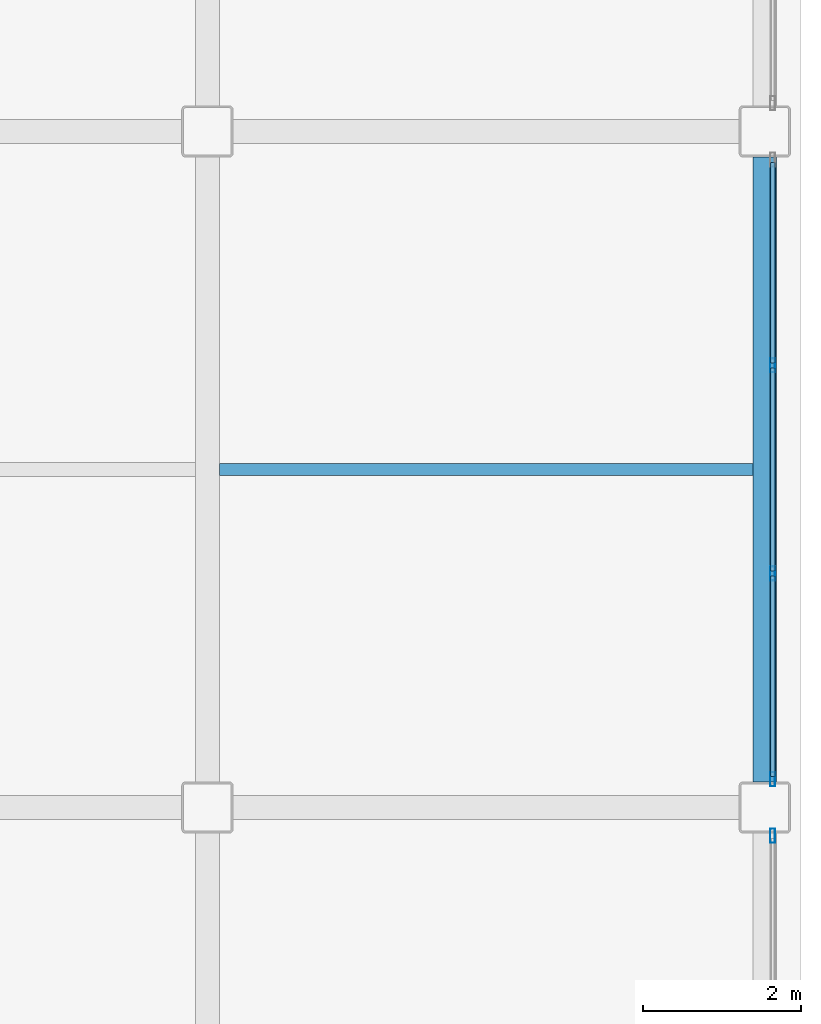
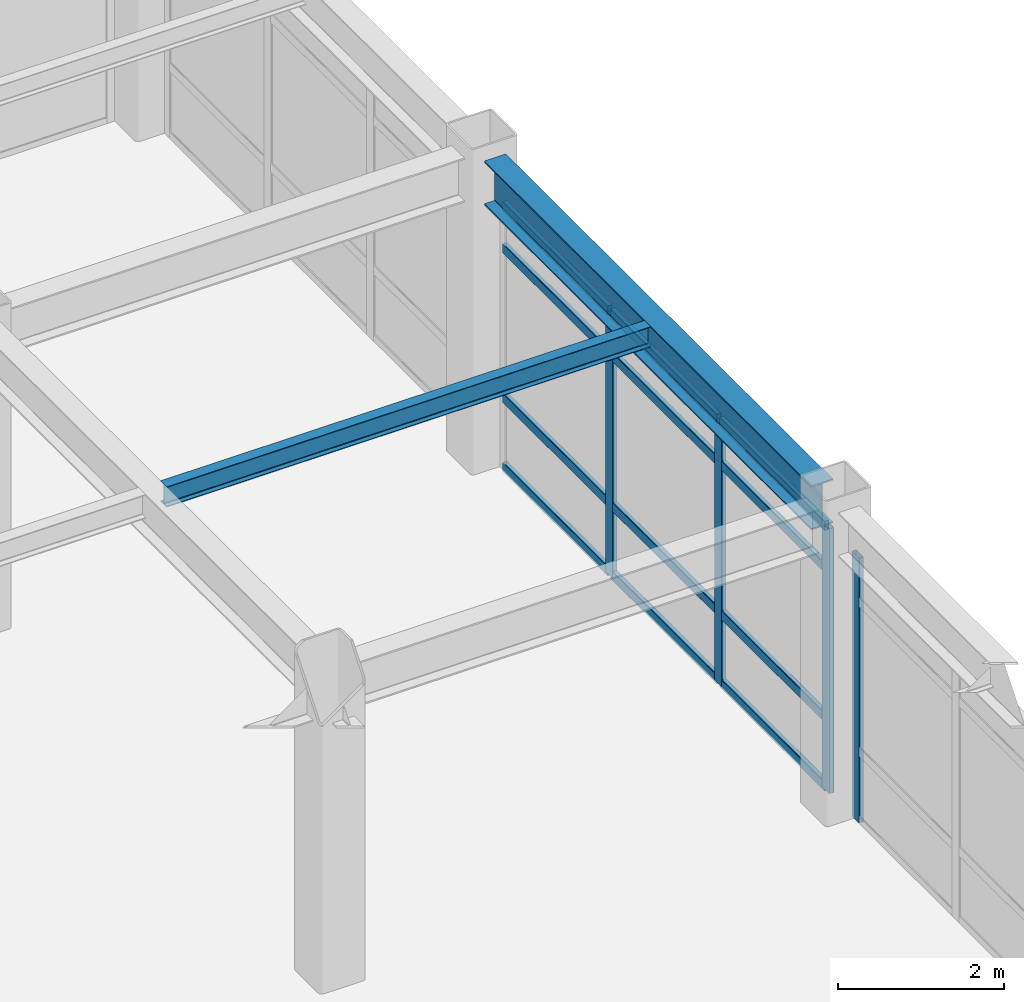
# One storey, part 39 of 61: 16 members, 2 beams, 2 elements without a shape of their own.
"""IFC4 building model written with IfcOpenShell, lengths in metres."""

import ifcopenshell
import ifcopenshell.guid

model = None  # the IFC model being written
_history = None  # IfcOwnerHistory: only IFC2X3 demands one
_inside = {}  # id of a spatial element -> (the spatial element, [elements in it])
_under = {}  # id of a project, library or spatial element -> (it, [spatial elements below it])
_declared = {}  # id of a project -> (the project, [libraries it declares])
_typed = {}  # id of a type object -> (the type object, [elements of that type])
_made_of = {}  # id of a material, layer set ... -> (it, [elements and type objects made of it])


def new_model(schema):
    """Start an empty IFC model of exactly this schema.

    Asked for "IFC4X3", IfcOpenShell would pick the latest addendum, in which some entities
    have other attributes; the version numbers below select the first issue.
    IFC2X3 requires an IfcOwnerHistory on every rooted entity: one is made here for all.
    """
    global model, _history
    if schema == "IFC4X3":
        model = ifcopenshell.file(schema_version=(4, 3, 0, 0))
    else:
        model = ifcopenshell.file(schema=schema)
    _inside.clear()
    _under.clear()
    _declared.clear()
    _typed.clear()
    _made_of.clear()
    _history = None
    if model.schema == "IFC2X3":
        org = make("IfcOrganization", Name="unknown")
        user = make(
            "IfcPersonAndOrganization",
            ThePerson=make("IfcPerson", FamilyName="unknown"),
            TheOrganization=org,
        )
        app = make(
            "IfcApplication",
            ApplicationDeveloper=org,
            Version="unknown",
            ApplicationFullName="unknown",
            ApplicationIdentifier="unknown",
        )
        _history = make(
            "IfcOwnerHistory",
            OwningUser=user,
            OwningApplication=app,
            ChangeAction="ADDED",
            CreationDate=0,
        )
    return model


def make(cls, **values):
    """One entity of the class cls with the attributes given. An attribute that is None is left unset."""
    return model.create_entity(
        cls, **{name: value for name, value in values.items() if value is not None}
    )


def rooted(cls, **values):
    """An entity with a GlobalId (a new one), such as an element, a storey or a relation."""
    return make(cls, GlobalId=ifcopenshell.guid.new(), OwnerHistory=_history, **values)


def si_unit(unit_type, name, prefix=None):
    """IfcSIUnit, for example si_unit("LENGTHUNIT", "METRE", prefix="MILLI")."""
    return make("IfcSIUnit", UnitType=unit_type, Prefix=prefix, Name=name)


def assignment(units):
    """IfcUnitAssignment: the units of a project."""
    return None if units is None else make("IfcUnitAssignment", Units=units)


def point(xyz):
    """IfcCartesianPoint."""
    return None if xyz is None else make("IfcCartesianPoint", Coordinates=xyz)


def direction(xyz):
    """IfcDirection."""
    return None if xyz is None else make("IfcDirection", DirectionRatios=xyz)


def frame(location, z_axis=None, x_axis=None):
    """IfcAxis2Placement3D, a coordinate frame: its origin and axes. An axis left out is left unset."""
    return make(
        "IfcAxis2Placement3D",
        Location=point(location),
        Axis=direction(z_axis),
        RefDirection=direction(x_axis),
    )


def frame_2d(location, x_axis=None):
    """IfcAxis2Placement2D, a coordinate frame in the plane: its origin and x axis."""
    return make(
        "IfcAxis2Placement2D", Location=point(location), RefDirection=direction(x_axis)
    )


def origin():
    """The frame at (0, 0, 0) with its axes left unset."""
    return frame((0.0, 0.0, 0.0))


def origin_2d():
    """The frame at (0, 0) in the plane with its x axis left unset."""
    return frame_2d((0.0, 0.0))


def place(relative_to, where):
    """IfcLocalPlacement: puts the frame where relative to a parent placement (None: the world)."""
    return make(
        "IfcLocalPlacement", PlacementRelTo=relative_to, RelativePlacement=where
    )


def context(
    kind, dimensions, precision=None, world=None, true_north=None, identifier=None
):
    """IfcGeometricRepresentationContext, for example the 3D "Model" context."""
    return make(
        "IfcGeometricRepresentationContext",
        ContextIdentifier=identifier,
        ContextType=kind,
        CoordinateSpaceDimension=dimensions,
        Precision=precision,
        WorldCoordinateSystem=world,
        TrueNorth=true_north,
    )


def subcontext(parent, identifier, kind, view, scale=None):
    """IfcGeometricRepresentationSubContext, for example "Body" below "Model"."""
    return make(
        "IfcGeometricRepresentationSubContext",
        ContextIdentifier=identifier,
        ContextType=kind,
        ParentContext=parent,
        TargetScale=scale,
        TargetView=view,
    )


def project(units=None, contexts=None):
    """IfcProject with its units and contexts."""
    return rooted(
        "IfcProject",
        Name="project",
        RepresentationContexts=contexts,
        UnitsInContext=assignment(units),
    )


def spatial(cls, under=None, at=None, **own):
    """A site, building, storey or space (cls), placed at a placement, below another one or the project."""
    s = rooted(cls, ObjectPlacement=at, **own)
    if under is not None:
        _under.setdefault(under.id(), (under, []))[1].append(s)
    return s


def profile(cls, at=None, kind="AREA", **sizes):
    """A parametric profile (cls). Its sizes go by their IFC names, for example OverallWidth=200.0."""
    return make(cls, ProfileType=kind, Position=at, **sizes)


def hollow_rectangle(**sizes):
    """IfcRectangleHollowProfileDef."""
    return profile("IfcRectangleHollowProfileDef", **sizes)


def i_section(**sizes):
    """IfcIShapeProfileDef."""
    return profile("IfcIShapeProfileDef", **sizes)


def extrude(swept, where, along, depth):
    """IfcExtrudedAreaSolid: the profile swept, set in the frame where, extruded along a direction by depth."""
    return make(
        "IfcExtrudedAreaSolid",
        SweptArea=swept,
        Position=where,
        ExtrudedDirection=direction(along),
        Depth=depth,
    )


def shape(context_of_items, identifier, shape_type, items):
    """IfcShapeRepresentation: the items that make up one representation, for example the "Body"."""
    return make(
        "IfcShapeRepresentation",
        ContextOfItems=context_of_items,
        RepresentationIdentifier=identifier,
        RepresentationType=shape_type,
        Items=items,
    )


def material(Name=None, Category=None):
    """IfcMaterial."""
    return make("IfcMaterial", Name=Name, Category=Category)


def layer(
    of_material, thickness, ventilated=None, Name=None, Category=None, Priority=None
):
    """IfcMaterialLayer: one layer of a wall or slab, of a material (None: an air gap)."""
    return make(
        "IfcMaterialLayer",
        Material=of_material,
        LayerThickness=thickness,
        IsVentilated=ventilated,
        Name=Name,
        Category=Category,
        Priority=Priority,
    )


def layer_set(layers, Name=None):
    """IfcMaterialLayerSet."""
    return make("IfcMaterialLayerSet", MaterialLayers=layers, LayerSetName=Name)


def material_profile(
    of_material, cross_section, Name=None, Category=None, Priority=None
):
    """IfcMaterialProfile: a cross section and its material."""
    return make(
        "IfcMaterialProfile",
        Name=Name,
        Material=of_material,
        Profile=cross_section,
        Priority=Priority,
        Category=Category,
    )


def profile_set(profiles, Name=None, composite=None):
    """IfcMaterialProfileSet."""
    return make(
        "IfcMaterialProfileSet",
        Name=Name,
        MaterialProfiles=profiles,
        CompositeProfile=composite,
    )


def made_of(thing, what):
    """Note that an element or type object is made of a material, layer set ...; save() writes the relation."""
    if what is not None:
        _made_of.setdefault(what.id(), (what, []))[1].append(thing)
    return thing


def type_object(cls, material=None, **own):
    """A type object (cls), such as IfcWallType, which elements share."""
    return made_of(rooted(cls, **own), material)


def element(
    cls,
    number,
    at=None,
    inside=None,
    cuts=None,
    type_object=None,
    material=None,
    context=None,
    identifier="Body",
    shape_type=None,
    held_by="IfcProductDefinitionShape",
    body=None,
    shapes=None,
    **own,
):
    """One element of the class cls, such as IfcWall. Its Tag is "e" and its number.

    at: its placement. inside: the storey or other place that contains it. cuts: it is an
    opening in that element (IfcRelVoidsElement). A single representation is given by context,
    identifier, shape_type and body (its items); several are given by shapes. held_by: the class
    of the entity that holds the representations. save() writes the other relations.
    """
    e = rooted(cls, Tag="e%d" % number, ObjectPlacement=at, **own)
    if body is not None:
        shapes = [shape(context, identifier, shape_type, body)]
    if shapes is not None:
        e.Representation = make(held_by, Representations=shapes)
    if inside is not None:
        _inside.setdefault(inside.id(), (inside, []))[1].append(e)
    if cuts is not None:
        rooted(
            "IfcRelVoidsElement", RelatingBuildingElement=cuts, RelatedOpeningElement=e
        )
    if type_object is not None:
        _typed.setdefault(type_object.id(), (type_object, []))[1].append(e)
    return made_of(e, material)


def aggregate(whole, parts):
    """IfcRelAggregates: a whole, such as a stair, and the parts it consists of."""
    return rooted("IfcRelAggregates", RelatingObject=whole, RelatedObjects=parts)


def save(model, path):
    """Write the relations noted so far, then the file.

    IfcRelAggregates (storeys below a building ...), IfcRelContainedInSpatialStructure (elements
    in a storey), IfcRelDefinesByType, IfcRelAssociatesMaterial and IfcRelDeclares: one each for
    every whole, place, type object, material and project.
    """
    for whole, parts in _under.values():
        aggregate(whole, parts)
    for where, things in _inside.values():
        rooted(
            "IfcRelContainedInSpatialStructure",
            RelatedElements=things,
            RelatingStructure=where,
        )
    for kind, things in _typed.values():
        rooted("IfcRelDefinesByType", RelatedObjects=things, RelatingType=kind)
    for what, things in _made_of.values():
        rooted("IfcRelAssociatesMaterial", RelatedObjects=things, RelatingMaterial=what)
    for by, libraries in _declared.values():
        rooted("IfcRelDeclares", RelatingContext=by, RelatedDefinitions=libraries)
    model.write(path)


model = new_model("IFC4")

# Units and contexts
model_context = context("Model", 3, precision=1e-05, world=origin(), true_north=direction((0.0, 1.0)))
body_context = subcontext(model_context, "Body", "Model", "MODEL_VIEW")
ifc_project = project(units=[si_unit("LENGTHUNIT", "METRE"), si_unit("AREAUNIT", "SQUARE_METRE"), si_unit("VOLUMEUNIT", "CUBIC_METRE"), si_unit("PLANEANGLEUNIT", "RADIAN"), si_unit("MASSUNIT", "GRAM", prefix="KILO")], contexts=[model_context])

# Site, building, storey
site_placement = place(None, origin())
site = spatial("IfcSite", under=ifc_project, at=site_placement, CompositionType="ELEMENT")
building_placement = place(site_placement, origin())
building = spatial("IfcBuilding", under=site, at=building_placement, Name="Kazehara Bluff Congress Hotel", CompositionType="ELEMENT")
storey_placement = place(building_placement, frame((0.0, 0.0, 19.800048828125)))
storey = spatial("IfcBuildingStorey", under=building, at=storey_placement, Name="L04", CompositionType="ELEMENT", Elevation=19.800048828125)

# Curtain wall, member
ifc_material_1 = material(Name="Anodised aluminium", Category="aluminium")
ifc_layer_1 = layer(ifc_material_1, 0.159912109375)
ifc_layer_set_1 = layer_set([ifc_layer_1], Name="Anodised aluminium")
curtain_wall_type_1 = type_object("IfcCurtainWallType", Name="TP-CW-162", PredefinedType="NOTDEFINED", material=ifc_layer_set_1)
curtain_wall_1_placement = place(storey_placement, origin())
curtain_wall_1 = element("IfcCurtainWall", 1, at=curtain_wall_1_placement, inside=storey, type_object=curtain_wall_type_1, Name="L04 curtain wall CW-162 CW-ENC-V5-L04-16765-9290", PredefinedType="NOTDEFINED")
ifc_material_2 = material(Name="Anodised aluminium", Category="aluminium")
ifc_material_profile_1 = material_profile(ifc_material_2, hollow_rectangle(XDim=0.06494140625, YDim=0.179931640625, WallThickness=0.00390625, InnerFilletRadius=0.00390625, OuterFilletRadius=0.008056640625, at=origin_2d()))
ifc_profile_set_1 = profile_set([ifc_material_profile_1], Name="Anodised aluminium")
member_type_1 = type_object("IfcMemberType", Name="TP-CWM-02", PredefinedType="MULLION", material=ifc_profile_set_1)
member_1_placement = place(storey_placement, frame((167.64990234375, 96.54248046875, 0.0), z_axis=(0.0, 0.0, 1.0), x_axis=(1.0, 0.0, 0.0)))
member_1 = element("IfcMember", 2, at=member_1_placement, type_object=member_type_1, Name="CW-162 mullion 1", PredefinedType="MULLION", context=body_context, shape_type="SweptSolid", body=[
    extrude(hollow_rectangle(XDim=0.06494140625, YDim=0.179931640625, WallThickness=0.00390625, InnerFilletRadius=0.00390625, OuterFilletRadius=0.008056640625, at=origin_2d()), origin(), (0.0, 0.0, 1.0), 3.905029296875),
])
aggregate(curtain_wall_1, [member_1])

# Curtain wall, members
ifc_material_3 = material(Name="Anodised aluminium", Category="aluminium")
ifc_layer_2 = layer(ifc_material_3, 0.159912109375)
ifc_layer_set_2 = layer_set([ifc_layer_2], Name="Anodised aluminium")
curtain_wall_type_2 = type_object("IfcCurtainWallType", Name="TP-CW-163", PredefinedType="NOTDEFINED", material=ifc_layer_set_2)
curtain_wall_2_placement = place(storey_placement, origin())
curtain_wall_2 = element("IfcCurtainWall", 3, at=curtain_wall_2_placement, inside=storey, type_object=curtain_wall_type_2, Name="L04 curtain wall CW-163 CW-ENC-V5-L04-16765-10118", PredefinedType="NOTDEFINED")
member_2_placement = place(storey_placement, frame((167.64990234375, 102.49169921875, 0.0), z_axis=(0.0, 0.0, 1.0), x_axis=(1.0, 0.0, 0.0)))
member_2 = element("IfcMember", 4, at=member_2_placement, type_object=member_type_1, Name="CW-163 mullion 2", PredefinedType="MULLION", context=body_context, shape_type="SweptSolid", body=[
    extrude(hollow_rectangle(XDim=0.06494140625, YDim=0.179931640625, WallThickness=0.00390625, InnerFilletRadius=0.00390625, OuterFilletRadius=0.008056640625, at=origin_2d()), origin(), (0.0, 0.0, 1.0), 3.905029296875),
])
member_3_placement = place(storey_placement, frame((167.64990234375, 99.8583984375, 0.0), z_axis=(0.0, 0.0, 1.0), x_axis=(1.0, 0.0, 0.0)))
member_3 = element("IfcMember", 5, at=member_3_placement, type_object=member_type_1, Name="CW-163 mullion 3", PredefinedType="MULLION", context=body_context, shape_type="SweptSolid", body=[
    extrude(hollow_rectangle(XDim=0.06494140625, YDim=0.179931640625, WallThickness=0.00390625, InnerFilletRadius=0.00390625, OuterFilletRadius=0.008056640625, at=origin_2d()), origin(), (0.0, 0.0, 1.0), 3.905029296875),
])
member_4_placement = place(storey_placement, frame((167.64990234375, 97.257568359375, 0.0), z_axis=(0.0, 0.0, 1.0), x_axis=(1.0, 0.0, 0.0)))
member_4 = element("IfcMember", 6, at=member_4_placement, type_object=member_type_1, Name="CW-163 mullion 4", PredefinedType="MULLION", context=body_context, shape_type="SweptSolid", body=[
    extrude(hollow_rectangle(XDim=0.06494140625, YDim=0.179931640625, WallThickness=0.00390625, InnerFilletRadius=0.00390625, OuterFilletRadius=0.008056640625, at=origin_2d()), origin(), (0.0, 0.0, 1.0), 3.905029296875),
])
ifc_material_4 = material(Name="Anodised aluminium", Category="aluminium")
ifc_material_profile_2 = material_profile(ifc_material_4, hollow_rectangle(XDim=0.06494140625, YDim=0.139892578125, WallThickness=0.00390625, InnerFilletRadius=0.00390625, OuterFilletRadius=0.008056640625, at=origin_2d()))
ifc_profile_set_2 = profile_set([ifc_material_profile_2], Name="Anodised aluminium")
member_type_2 = type_object("IfcMemberType", Name="TP-CWT-02", PredefinedType="USERDEFINED", material=ifc_profile_set_2)
member_5_placement = place(storey_placement, frame((167.64990234375, 105.06005859375, 0.032470703125), z_axis=(0.0, -1.0, 0.0), x_axis=(1.0, 0.0, 0.0)))
member_5 = element("IfcMember", 7, at=member_5_placement, type_object=member_type_2, Name="CW-163 transom 1.1", ObjectType="TRANSOM", PredefinedType="USERDEFINED", context=body_context, shape_type="SweptSolid", body=[
    extrude(hollow_rectangle(XDim=0.06494140625, YDim=0.139892578125, WallThickness=0.00390625, InnerFilletRadius=0.00390625, OuterFilletRadius=0.008056640625, at=origin_2d()), origin(), (0.0, 0.0, 1.0), 2.535888671875),
])
member_6_placement = place(storey_placement, frame((167.64990234375, 105.06005859375, 1.050048828125), z_axis=(0.0, -1.0, 0.0), x_axis=(1.0, 0.0, 0.0)))
member_6 = element("IfcMember", 8, at=member_6_placement, type_object=member_type_2, Name="CW-163 transom 1.2", ObjectType="TRANSOM", PredefinedType="USERDEFINED", context=body_context, shape_type="SweptSolid", body=[
    extrude(hollow_rectangle(XDim=0.06494140625, YDim=0.139892578125, WallThickness=0.00390625, InnerFilletRadius=0.00390625, OuterFilletRadius=0.008056640625, at=origin_2d()), origin(), (0.0, 0.0, 1.0), 2.535888671875),
])
member_7_placement = place(storey_placement, frame((167.64990234375, 105.06005859375, 3.2548828125), z_axis=(0.0, -1.0, 0.0), x_axis=(1.0, 0.0, 0.0)))
member_7 = element("IfcMember", 9, at=member_7_placement, type_object=member_type_2, Name="CW-163 transom 1.3", ObjectType="TRANSOM", PredefinedType="USERDEFINED", context=body_context, shape_type="SweptSolid", body=[
    extrude(hollow_rectangle(XDim=0.06494140625, YDim=0.139892578125, WallThickness=0.00390625, InnerFilletRadius=0.00390625, OuterFilletRadius=0.008056640625, at=origin_2d()), origin(), (0.0, 0.0, 1.0), 2.535888671875),
])
member_8_placement = place(storey_placement, frame((167.64990234375, 105.06005859375, 3.87255859375), z_axis=(0.0, -1.0, 0.0), x_axis=(1.0, 0.0, 0.0)))
member_8 = element("IfcMember", 10, at=member_8_placement, type_object=member_type_2, Name="CW-163 transom 1.4", ObjectType="TRANSOM", PredefinedType="USERDEFINED", context=body_context, shape_type="SweptSolid", body=[
    extrude(hollow_rectangle(XDim=0.06494140625, YDim=0.139892578125, WallThickness=0.00390625, InnerFilletRadius=0.00390625, OuterFilletRadius=0.008056640625, at=origin_2d()), origin(), (0.0, 0.0, 1.0), 2.535888671875),
])
member_9_placement = place(storey_placement, frame((167.64990234375, 102.459228515625, 0.032470703125), z_axis=(0.0, -1.0, 0.0), x_axis=(1.0, 0.0, 0.0)))
member_9 = element("IfcMember", 11, at=member_9_placement, type_object=member_type_2, Name="CW-163 transom 2.1", ObjectType="TRANSOM", PredefinedType="USERDEFINED", context=body_context, shape_type="SweptSolid", body=[
    extrude(hollow_rectangle(XDim=0.06494140625, YDim=0.139892578125, WallThickness=0.00390625, InnerFilletRadius=0.00390625, OuterFilletRadius=0.008056640625, at=origin_2d()), origin(), (0.0, 0.0, 1.0), 2.568359375),
])
member_10_placement = place(storey_placement, frame((167.64990234375, 102.459228515625, 1.050048828125), z_axis=(0.0, -1.0, 0.0), x_axis=(1.0, 0.0, 0.0)))
member_10 = element("IfcMember", 12, at=member_10_placement, type_object=member_type_2, Name="CW-163 transom 2.2", ObjectType="TRANSOM", PredefinedType="USERDEFINED", context=body_context, shape_type="SweptSolid", body=[
    extrude(hollow_rectangle(XDim=0.06494140625, YDim=0.139892578125, WallThickness=0.00390625, InnerFilletRadius=0.00390625, OuterFilletRadius=0.008056640625, at=origin_2d()), origin(), (0.0, 0.0, 1.0), 2.568359375),
])
member_11_placement = place(storey_placement, frame((167.64990234375, 102.459228515625, 3.2548828125), z_axis=(0.0, -1.0, 0.0), x_axis=(1.0, 0.0, 0.0)))
member_11 = element("IfcMember", 13, at=member_11_placement, type_object=member_type_2, Name="CW-163 transom 2.3", ObjectType="TRANSOM", PredefinedType="USERDEFINED", context=body_context, shape_type="SweptSolid", body=[
    extrude(hollow_rectangle(XDim=0.06494140625, YDim=0.139892578125, WallThickness=0.00390625, InnerFilletRadius=0.00390625, OuterFilletRadius=0.008056640625, at=origin_2d()), origin(), (0.0, 0.0, 1.0), 2.568359375),
])
member_12_placement = place(storey_placement, frame((167.64990234375, 102.459228515625, 3.87255859375), z_axis=(0.0, -1.0, 0.0), x_axis=(1.0, 0.0, 0.0)))
member_12 = element("IfcMember", 14, at=member_12_placement, type_object=member_type_2, Name="CW-163 transom 2.4", ObjectType="TRANSOM", PredefinedType="USERDEFINED", context=body_context, shape_type="SweptSolid", body=[
    extrude(hollow_rectangle(XDim=0.06494140625, YDim=0.139892578125, WallThickness=0.00390625, InnerFilletRadius=0.00390625, OuterFilletRadius=0.008056640625, at=origin_2d()), origin(), (0.0, 0.0, 1.0), 2.568359375),
])
member_13_placement = place(storey_placement, frame((167.64990234375, 99.825927734375, 0.032470703125), z_axis=(0.0, -1.0, 0.0), x_axis=(1.0, 0.0, 0.0)))
member_13 = element("IfcMember", 15, at=member_13_placement, type_object=member_type_2, Name="CW-163 transom 3.1", ObjectType="TRANSOM", PredefinedType="USERDEFINED", context=body_context, shape_type="SweptSolid", body=[
    extrude(hollow_rectangle(XDim=0.06494140625, YDim=0.139892578125, WallThickness=0.00390625, InnerFilletRadius=0.00390625, OuterFilletRadius=0.008056640625, at=origin_2d()), origin(), (0.0, 0.0, 1.0), 2.535888671875),
])
member_14_placement = place(storey_placement, frame((167.64990234375, 99.825927734375, 1.050048828125), z_axis=(0.0, -1.0, 0.0), x_axis=(1.0, 0.0, 0.0)))
member_14 = element("IfcMember", 16, at=member_14_placement, type_object=member_type_2, Name="CW-163 transom 3.2", ObjectType="TRANSOM", PredefinedType="USERDEFINED", context=body_context, shape_type="SweptSolid", body=[
    extrude(hollow_rectangle(XDim=0.06494140625, YDim=0.139892578125, WallThickness=0.00390625, InnerFilletRadius=0.00390625, OuterFilletRadius=0.008056640625, at=origin_2d()), origin(), (0.0, 0.0, 1.0), 2.535888671875),
])
member_15_placement = place(storey_placement, frame((167.64990234375, 99.825927734375, 3.2548828125), z_axis=(0.0, -1.0, 0.0), x_axis=(1.0, 0.0, 0.0)))
member_15 = element("IfcMember", 17, at=member_15_placement, type_object=member_type_2, Name="CW-163 transom 3.3", ObjectType="TRANSOM", PredefinedType="USERDEFINED", context=body_context, shape_type="SweptSolid", body=[
    extrude(hollow_rectangle(XDim=0.06494140625, YDim=0.139892578125, WallThickness=0.00390625, InnerFilletRadius=0.00390625, OuterFilletRadius=0.008056640625, at=origin_2d()), origin(), (0.0, 0.0, 1.0), 2.535888671875),
])
member_16_placement = place(storey_placement, frame((167.64990234375, 99.825927734375, 3.87255859375), z_axis=(0.0, -1.0, 0.0), x_axis=(1.0, 0.0, 0.0)))
member_16 = element("IfcMember", 18, at=member_16_placement, type_object=member_type_2, Name="CW-163 transom 3.4", ObjectType="TRANSOM", PredefinedType="USERDEFINED", context=body_context, shape_type="SweptSolid", body=[
    extrude(hollow_rectangle(XDim=0.06494140625, YDim=0.139892578125, WallThickness=0.00390625, InnerFilletRadius=0.00390625, OuterFilletRadius=0.008056640625, at=origin_2d()), origin(), (0.0, 0.0, 1.0), 2.535888671875),
])
aggregate(curtain_wall_2, [member_2, member_3, member_4, member_5, member_6, member_7, member_8, member_9, member_10, member_11, member_12, member_13, member_14, member_15, member_16])

# Beams
ifc_material_5 = material(Name="Steel SN490B", Category="steel")
ifc_material_profile_3 = material_profile(ifc_material_5, i_section(OverallWidth=0.300048828125, OverallDepth=0.64990234375, WebThickness=0.011962890625, FlangeThickness=0.02001953125, FilletRadius=0.012939453125, at=origin_2d()))
ifc_profile_set_3 = profile_set([ifc_material_profile_3], Name="Steel SN490B")
beam_type_1 = type_object("IfcBeamType", Name="TP-G-03", PredefinedType="BEAM", material=ifc_profile_set_3)
beam_1_placement = place(storey_placement, frame((167.550048828125, 97.22509765625, 4.2548828125), z_axis=(0.0, 1.0, 0.0), x_axis=(-1.0, 0.0, 0.0)))
element("IfcBeam", 19, at=beam_1_placement, inside=storey, type_object=beam_type_1, Name="L04 girder G-03 76", PredefinedType="BEAM", context=body_context, shape_type="SweptSolid", body=[
    extrude(i_section(OverallWidth=0.300048828125, OverallDepth=0.64990234375, WebThickness=0.011962890625, FlangeThickness=0.02001953125, FilletRadius=0.012939453125, at=origin_2d()), origin(), (0.0, 0.0, 1.0), 7.89990234375),
])
ifc_material_6 = material(Name="Steel SN400B", Category="steel")
ifc_material_profile_4 = material_profile(ifc_material_6, i_section(OverallWidth=0.14990234375, OverallDepth=0.300048828125, WebThickness=0.006591796875, FlangeThickness=0.009033203125, FilletRadius=0.012939453125, at=origin_2d()))
ifc_profile_set_4 = profile_set([ifc_material_profile_4], Name="Steel SN400B")
beam_type_2 = type_object("IfcBeamType", Name="TP-J-01", PredefinedType="JOIST", material=ifc_profile_set_4)
beam_2_placement = place(storey_placement, frame((160.64990234375, 101.175048828125, 4.429931640625), z_axis=(1.0, 0.0, 0.0), x_axis=(0.0, 1.0, 0.0)))
element("IfcBeam", 20, at=beam_2_placement, inside=storey, type_object=beam_type_2, Name="L04 secondary joist J-01 38", PredefinedType="JOIST", context=body_context, shape_type="SweptSolid", body=[
    extrude(i_section(OverallWidth=0.14990234375, OverallDepth=0.300048828125, WebThickness=0.006591796875, FlangeThickness=0.009033203125, FilletRadius=0.012939453125, at=origin_2d()), origin(), (0.0, 0.0, 1.0), 6.75),
])

save(model, "model.ifc")
